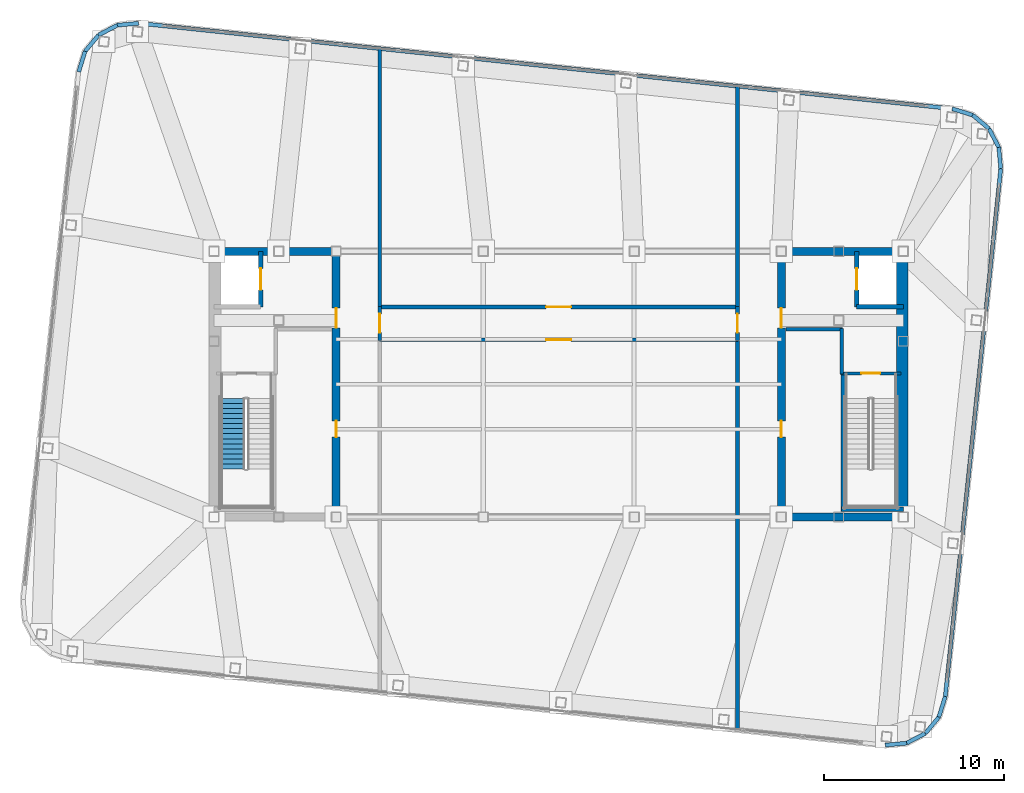
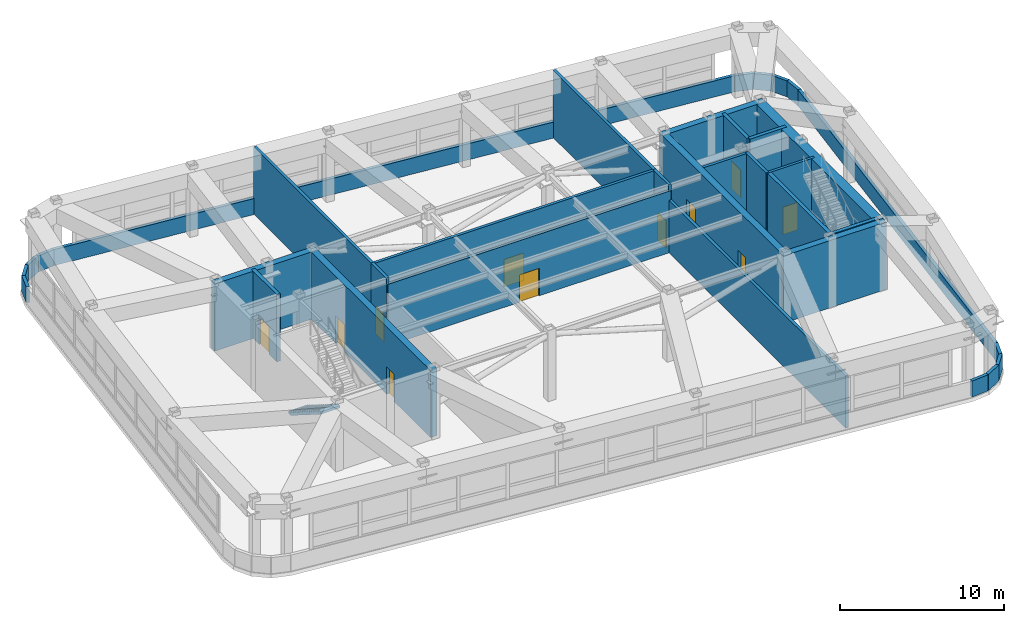
# One storey, part 20 of 23: 35 walls, 11 doors, 1 stair flight, 11 openings, 1 element without a shape of its own.
"""IFC4 building model written with IfcOpenShell, lengths in metres."""

from ifc_helpers import new_model, si_unit, direction, frame, frame_2d, origin, place, context, subcontext, project, spatial, polyline, rectangle, outline, extrude, material, layer, layer_set, type_object, element, fill, aggregate, save


model = new_model("IFC4")

# Units and contexts
model_context = context("Model", 3, precision=1e-05, world=origin(), true_north=direction((0.0, 1.0)))
body_context = subcontext(model_context, "Body", "Model", "MODEL_VIEW")
ifc_project = project(units=[si_unit("LENGTHUNIT", "METRE"), si_unit("AREAUNIT", "SQUARE_METRE"), si_unit("VOLUMEUNIT", "CUBIC_METRE"), si_unit("PLANEANGLEUNIT", "RADIAN"), si_unit("MASSUNIT", "GRAM", prefix="KILO")], contexts=[model_context])

# Site, building, storey
site_placement = place(None, origin())
site = spatial("IfcSite", under=ifc_project, at=site_placement, CompositionType="ELEMENT")
building_placement = place(site_placement, origin())
building = spatial("IfcBuilding", under=site, at=building_placement, Name="Voryun Gate Residences", CompositionType="ELEMENT")
storey_placement = place(building_placement, frame((0.0, 0.0, 316.0)))
storey = spatial("IfcBuildingStorey", under=building, at=storey_placement, Name="L78", CompositionType="ELEMENT", Elevation=316.0)

# Wall
ifc_material_1 = material(Name="Concrete C50/60", Category="concrete")
ifc_layer_1 = layer(ifc_material_1, 0.449951171875, Name="CW_CORE_450")
ifc_layer_set_1 = layer_set([ifc_layer_1], Name="Concrete C50/60")
wall_type_1 = type_object("IfcWallType", Name="CW_CORE_450", PredefinedType="SHEAR", material=ifc_layer_set_1)
wall_1_placement = place(storey_placement, frame((-19.425048828125, 7.39990234375, 0.0), z_axis=(0.0, 0.0, 1.0), x_axis=(1.0, 0.0, 0.0)))
element("IfcWall", 1, at=wall_1_placement, inside=storey, type_object=wall_type_1, Name="L78 Core shear wall CW-L78-WN", PredefinedType="SHEAR", context=body_context, shape_type="SweptSolid", body=[
    extrude(rectangle(XDim=7.25, YDim=0.449951171875, at=frame_2d((3.625, 0.0))), origin(), (0.0, 0.0, 1.0), 5.02490234375),
])

# Wall, openings, doors
wall_2_placement = place(storey_placement, frame((-12.39990234375, -7.39990234375, 0.0), z_axis=(0.0, 0.0, 1.0), x_axis=(0.0, 1.0, 0.0)))
wall_2 = element("IfcWall", 2, at=wall_2_placement, inside=storey, type_object=wall_type_1, Name="L78 Core shear wall CW-L78-WE", PredefinedType="SHEAR", context=body_context, shape_type="SweptSolid", body=[
    extrude(rectangle(XDim=14.7998046875, YDim=0.449951171875, at=frame_2d((7.39990234375, 0.0))), origin(), (0.0, 0.0, 1.0), 5.02490234375),
])
opening_1_placement = place(wall_2_placement, frame((10.530029296875, 0.0, 0.0)))
opening_1 = element("IfcOpeningElement", 3, at=opening_1_placement, cuts=wall_2, Name="Opening D-FD60-2", PredefinedType="OPENING", context=body_context, shape_type="SweptSolid", body=[
    extrude(rectangle(XDim=1.10009765625, YDim=2.050048828125, at=frame_2d((0.550048828125, 1.02490234375))), frame((0.0, 0.235107421875, 0.0), z_axis=(0.0, -1.0, 0.0), x_axis=(1.0, 0.0, 0.0)), (0.0, 0.0, 1.0), 0.469970703125),
])
opening_2_placement = place(wall_2_placement, frame((4.449951171875, 0.0, 0.0)))
opening_2 = element("IfcOpeningElement", 4, at=opening_2_placement, cuts=wall_2, Name="Opening D-FD60-4", PredefinedType="OPENING", context=body_context, shape_type="SweptSolid", body=[
    extrude(rectangle(XDim=0.89990234375, YDim=2.050048828125, at=frame_2d((0.449951171875, 1.02490234375))), frame((0.0, 0.235107421875, 0.0), z_axis=(0.0, -1.0, 0.0), x_axis=(1.0, 0.0, 0.0)), (0.0, 0.0, 1.0), 0.469970703125),
])
ifc_material_2 = material(Name="Painted steel fire door", Category="steel")
door_type_1 = type_object("IfcDoorType", Name="DR_FD60_FFLOB_1100", OperationType="NOTDEFINED", PredefinedType="DOOR", material=ifc_material_2)
door_1_placement = place(opening_1_placement, origin())
door_1 = element("IfcDoor", 5, at=door_1_placement, inside=storey, type_object=door_type_1, Name="Door DR-L78-CLOB-W", OperationType="SINGLE_SWING_LEFT", OverallHeight=2.050048828125, OverallWidth=1.10009765625, PredefinedType="DOOR", context=body_context, shape_type="SweptSolid", body=[
    extrude(rectangle(XDim=1.10009765625, YDim=2.050048828125, at=frame_2d((0.550048828125, 1.02490234375))), frame((0.0, 0.02490234375, 0.0), z_axis=(0.0, -1.0, 0.0), x_axis=(1.0, 0.0, 0.0)), (0.0, 0.0, 1.0), 0.050048828125),
])
fill(opening_1, door_1)
ifc_material_3 = material(Name="Painted steel fire door", Category="steel")
door_type_2 = type_object("IfcDoorType", Name="DR_FD60_RISER_900", OperationType="NOTDEFINED", PredefinedType="DOOR", material=ifc_material_3)
door_2_placement = place(opening_2_placement, origin())
door_2 = element("IfcDoor", 6, at=door_2_placement, inside=storey, type_object=door_type_2, Name="Door DR-L78-CRNW", OperationType="SINGLE_SWING_LEFT", OverallHeight=2.050048828125, OverallWidth=0.89990234375, PredefinedType="DOOR", context=body_context, shape_type="SweptSolid", body=[
    extrude(rectangle(XDim=0.89990234375, YDim=2.050048828125, at=frame_2d((0.449951171875, 1.02490234375))), frame((0.0, 0.02490234375, 0.0), z_axis=(0.0, -1.0, 0.0), x_axis=(1.0, 0.0, 0.0)), (0.0, 0.0, 1.0), 0.050048828125),
])
fill(opening_2, door_2)

# Walls
for number, where, z_axis, x_axis, name in (
    (7, (12.175048828125, -7.39990234375, 0.0), (0.0, 0.0, 1.0), (1.0, 0.0, 0.0), "L78 Core shear wall CW-L78-ES"),
    (8, (12.175048828125, 7.39990234375, 0.0), (0.0, 0.0, 1.0), (1.0, 0.0, 0.0), "L78 Core shear wall CW-L78-EN"),
):
    element("IfcWall", number, at=place(storey_placement, frame(where, z_axis=z_axis, x_axis=x_axis)), inside=storey, type_object=wall_type_1, Name=name, PredefinedType="SHEAR", context=body_context, shape_type="SweptSolid", body=[
        extrude(rectangle(XDim=7.25, YDim=0.449951171875, at=frame_2d((3.625, 0.0))), origin(), (0.0, 0.0, 1.0), 5.02490234375),
    ])

# Wall, openings, doors
wall_3_placement = place(storey_placement, frame((12.39990234375, -7.39990234375, 0.0), z_axis=(0.0, 0.0, 1.0), x_axis=(0.0, 1.0, 0.0)))
wall_3 = element("IfcWall", 9, at=wall_3_placement, inside=storey, type_object=wall_type_1, Name="L78 Core shear wall CW-L78-EW", PredefinedType="SHEAR", context=body_context, shape_type="SweptSolid", body=[
    extrude(rectangle(XDim=14.7998046875, YDim=0.449951171875, at=frame_2d((7.39990234375, 0.0))), origin(), (0.0, 0.0, 1.0), 5.02490234375),
])
opening_3_placement = place(wall_3_placement, frame((10.530029296875, 0.0, 0.0)))
opening_3 = element("IfcOpeningElement", 10, at=opening_3_placement, cuts=wall_3, Name="Opening D-FD60-2", PredefinedType="OPENING", context=body_context, shape_type="SweptSolid", body=[
    extrude(rectangle(XDim=1.10009765625, YDim=2.050048828125, at=frame_2d((0.550048828125, 1.02490234375))), frame((0.0, 0.235107421875, 0.0), z_axis=(0.0, -1.0, 0.0), x_axis=(1.0, 0.0, 0.0)), (0.0, 0.0, 1.0), 0.469970703125),
])
opening_4_placement = place(wall_3_placement, frame((4.449951171875, 0.0, 0.0)))
opening_4 = element("IfcOpeningElement", 11, at=opening_4_placement, cuts=wall_3, Name="Opening D-FD60-4", PredefinedType="OPENING", context=body_context, shape_type="SweptSolid", body=[
    extrude(rectangle(XDim=0.89990234375, YDim=2.050048828125, at=frame_2d((0.449951171875, 1.02490234375))), frame((0.0, 0.235107421875, 0.0), z_axis=(0.0, -1.0, 0.0), x_axis=(1.0, 0.0, 0.0)), (0.0, 0.0, 1.0), 0.469970703125),
])
door_3_placement = place(opening_3_placement, origin())
door_3 = element("IfcDoor", 12, at=door_3_placement, inside=storey, type_object=door_type_1, Name="Door DR-L78-CLOB-E", OperationType="SINGLE_SWING_RIGHT", OverallHeight=2.050048828125, OverallWidth=1.10009765625, PredefinedType="DOOR", context=body_context, shape_type="SweptSolid", body=[
    extrude(rectangle(XDim=1.10009765625, YDim=2.050048828125, at=frame_2d((0.550048828125, 1.02490234375))), frame((0.0, 0.02490234375, 0.0), z_axis=(0.0, -1.0, 0.0), x_axis=(1.0, 0.0, 0.0)), (0.0, 0.0, 1.0), 0.050048828125),
])
fill(opening_3, door_3)
door_4_placement = place(opening_4_placement, origin())
door_4 = element("IfcDoor", 13, at=door_4_placement, inside=storey, type_object=door_type_2, Name="Door DR-L78-CRNE", OperationType="SINGLE_SWING_RIGHT", OverallHeight=2.050048828125, OverallWidth=0.89990234375, PredefinedType="DOOR", context=body_context, shape_type="SweptSolid", body=[
    extrude(rectangle(XDim=0.89990234375, YDim=2.050048828125, at=frame_2d((0.449951171875, 1.02490234375))), frame((0.0, 0.02490234375, 0.0), z_axis=(0.0, -1.0, 0.0), x_axis=(1.0, 0.0, 0.0)), (0.0, 0.0, 1.0), 0.050048828125),
])
fill(opening_4, door_4)

# Wall
ifc_material_4 = material(Name="Concrete C60/75", Category="concrete")
ifc_layer_2 = layer(ifc_material_4, 0.64990234375, Name="CW_CORE_650")
ifc_layer_set_2 = layer_set([ifc_layer_2], Name="Concrete C60/75")
wall_type_2 = type_object("IfcWallType", Name="CW_CORE_650", PredefinedType="SHEAR", material=ifc_layer_set_2)
wall_4_placement = place(storey_placement, frame((19.14501953125, -7.39990234375, 0.0), z_axis=(0.0, 0.0, 1.0), x_axis=(0.0, 1.0, 0.0)))
element("IfcWall", 14, at=wall_4_placement, inside=storey, type_object=wall_type_2, Name="L78 Core shear wall CW-L78-EE", PredefinedType="SHEAR", context=body_context, shape_type="SweptSolid", body=[
    extrude(rectangle(XDim=14.7998046875, YDim=0.64990234375, at=frame_2d((7.39990234375, 0.0))), origin(), (0.0, 0.0, 1.0), 5.02490234375),
])

# Wall, opening, door
ifc_material_5 = material(Name="Gypsum acoustic fireboard")
ifc_layer_3 = layer(ifc_material_5, 0.179931640625, Name="W_CORR_RATED_180")
ifc_layer_set_3 = layer_set([ifc_layer_3], Name="Gypsum acoustic fireboard")
wall_type_3 = type_object("IfcWallType", Name="W_CORR_RATED_180", PredefinedType="PARTITIONING", material=ifc_layer_set_3)
wall_5_placement = place(storey_placement, frame((15.699951171875, 0.60009765625, 0.0), z_axis=(0.0, 0.0, 1.0), x_axis=(1.0, 0.0, 0.0)))
wall_5 = element("IfcWall", 15, at=wall_5_placement, inside=storey, type_object=wall_type_3, Name="Partition wall WP-L78-STV-E", PredefinedType="PARTITIONING", context=body_context, shape_type="SweptSolid", body=[
    extrude(rectangle(XDim=3.360107421875, YDim=0.179931640625, at=frame_2d((1.68017578125, 0.0))), origin(), (0.0, 0.0, 1.0), 5.02490234375),
])
opening_5_placement = place(wall_5_placement, frame((1.155029296875, 0.0, 0.0)))
opening_5 = element("IfcOpeningElement", 16, at=opening_5_placement, cuts=wall_5, Name="Opening D-FD60-1", PredefinedType="OPENING", context=body_context, shape_type="SweptSolid", body=[
    extrude(rectangle(XDim=1.050048828125, YDim=2.050048828125, at=frame_2d((0.52490234375, 1.02490234375))), frame((0.0, 0.099853515625, 0.0), z_axis=(0.0, -1.0, 0.0), x_axis=(1.0, 0.0, 0.0)), (0.0, 0.0, 1.0), 0.199951171875),
])
ifc_material_6 = material(Name="Painted steel fire door", Category="steel")
door_type_3 = type_object("IfcDoorType", Name="DR_FD60_STAIR_1050", OperationType="NOTDEFINED", PredefinedType="DOOR", material=ifc_material_6)
door_5_placement = place(opening_5_placement, origin())
door_5 = element("IfcDoor", 17, at=door_5_placement, inside=storey, type_object=door_type_3, Name="Door DR-L78-ST-E", OperationType="SINGLE_SWING_RIGHT", OverallHeight=2.050048828125, OverallWidth=1.050048828125, PredefinedType="DOOR", context=body_context, shape_type="SweptSolid", body=[
    extrude(rectangle(XDim=1.050048828125, YDim=2.050048828125, at=frame_2d((0.52490234375, 1.02490234375))), frame((0.0, 0.02490234375, 0.0), z_axis=(0.0, -1.0, 0.0), x_axis=(1.0, 0.0, 0.0)), (0.0, 0.0, 1.0), 0.050048828125),
])
fill(opening_5, door_5)

# Walls
ifc_material_7 = material(Name="Concrete C40/50", Category="concrete")
ifc_layer_4 = layer(ifc_material_7, 0.199951171875, Name="W_FF_LOBBY_200")
ifc_layer_set_4 = layer_set([ifc_layer_4], Name="Concrete C40/50")
wall_type_4 = type_object("IfcWallType", Name="W_FF_LOBBY_200", PredefinedType="PARTITIONING", material=ifc_layer_set_4)
wall_6_placement = place(storey_placement, frame((15.760009765625, 0.580078125, 0.0), z_axis=(0.0, 0.0, 1.0), x_axis=(0.0, 1.0, 0.0)))
element("IfcWall", 18, at=wall_6_placement, inside=storey, type_object=wall_type_4, Name="Partition wall WP-L78-FFP0-E", PredefinedType="PARTITIONING", context=body_context, shape_type="SweptSolid", body=[
    extrude(rectangle(XDim=2.52001953125, YDim=0.199951171875, at=frame_2d((1.260009765625, 0.0))), origin(), (0.0, 0.0, 1.0), 5.02490234375),
])
wall_7_placement = place(storey_placement, frame((12.659912109375, 3.06005859375, 0.0), z_axis=(0.0, 0.0, 1.0), x_axis=(1.0, 0.0, 0.0)))
element("IfcWall", 19, at=wall_7_placement, inside=storey, type_object=wall_type_4, Name="Partition wall WP-L78-FFPS-E", PredefinedType="PARTITIONING", context=body_context, shape_type="SweptSolid", body=[
    extrude(rectangle(XDim=3.16015625, YDim=0.199951171875, at=frame_2d((1.580078125, 0.0))), origin(), (0.0, 0.0, 1.0), 5.02490234375),
])

# Wall, opening, door
wall_8_placement = place(storey_placement, frame((-9.97998046875, 2.47998046875, 0.0), z_axis=(0.0, 0.0, 1.0), x_axis=(1.0, 0.0, 0.0)))
wall_8 = element("IfcWall", 20, at=wall_8_placement, inside=storey, type_object=wall_type_4, Name="Partition wall WP-L78-CS", PredefinedType="PARTITIONING", context=body_context, shape_type="SweptSolid", body=[
    extrude(rectangle(XDim=19.9599609375, YDim=0.199951171875, at=frame_2d((9.97998046875, 0.0))), origin(), (0.0, 0.0, 1.0), 4.594970703125),
])
opening_6_placement = place(wall_8_placement, frame((9.280029296875, 0.0, 0.0)))
opening_6 = element("IfcOpeningElement", 21, at=opening_6_placement, cuts=wall_8, Name="Opening D-FD60-3", PredefinedType="OPENING", context=body_context, shape_type="SweptSolid", body=[
    extrude(rectangle(XDim=1.39990234375, YDim=2.050048828125, at=frame_2d((0.699951171875, 1.02490234375))), frame((0.0, 0.110107421875, 0.0), z_axis=(0.0, -1.0, 0.0), x_axis=(1.0, 0.0, 0.0)), (0.0, 0.0, 1.0), 0.219970703125),
])
ifc_material_8 = material(Name="Painted steel fire door", Category="steel")
door_type_4 = type_object("IfcDoorType", Name="DR_FD60_PLANT_1400", OperationType="NOTDEFINED", PredefinedType="DOOR", material=ifc_material_8)
door_6_placement = place(opening_6_placement, origin())
door_6 = element("IfcDoor", 22, at=door_6_placement, inside=storey, type_object=door_type_4, Name="Door DR-L78-CS", OperationType="DOUBLE_DOOR_SINGLE_SWING", OverallHeight=2.050048828125, OverallWidth=1.39990234375, PredefinedType="DOOR", context=body_context, shape_type="SweptSolid", body=[
    extrude(rectangle(XDim=1.39990234375, YDim=2.050048828125, at=frame_2d((0.699951171875, 1.02490234375))), frame((0.0, 0.02490234375, 0.0), z_axis=(0.0, -1.0, 0.0), x_axis=(1.0, 0.0, 0.0)), (0.0, 0.0, 1.0), 0.050048828125),
])
fill(opening_6, door_6)

wall_9_placement = place(storey_placement, frame((-9.97998046875, 4.300048828125, 0.0), z_axis=(0.0, 0.0, 1.0), x_axis=(1.0, 0.0, 0.0)))
wall_9 = element("IfcWall", 23, at=wall_9_placement, inside=storey, type_object=wall_type_4, Name="Partition wall WP-L78-CN", PredefinedType="PARTITIONING", context=body_context, shape_type="SweptSolid", body=[
    extrude(rectangle(XDim=19.9599609375, YDim=0.199951171875, at=frame_2d((9.97998046875, 0.0))), origin(), (0.0, 0.0, 1.0), 5.02490234375),
])
opening_7_placement = place(wall_9_placement, frame((9.280029296875, 0.0, 0.0)))
opening_7 = element("IfcOpeningElement", 24, at=opening_7_placement, cuts=wall_9, Name="Opening D-FD60-3", PredefinedType="OPENING", context=body_context, shape_type="SweptSolid", body=[
    extrude(rectangle(XDim=1.39990234375, YDim=2.050048828125, at=frame_2d((0.699951171875, 1.02490234375))), frame((0.0, 0.110107421875, 0.0), z_axis=(0.0, -1.0, 0.0), x_axis=(1.0, 0.0, 0.0)), (0.0, 0.0, 1.0), 0.219970703125),
])
door_7_placement = place(opening_7_placement, origin())
door_7 = element("IfcDoor", 25, at=door_7_placement, inside=storey, type_object=door_type_4, Name="Door DR-L78-CN", OperationType="DOUBLE_DOOR_SINGLE_SWING", OverallHeight=2.050048828125, OverallWidth=1.39990234375, PredefinedType="DOOR", context=body_context, shape_type="SweptSolid", body=[
    extrude(rectangle(XDim=1.39990234375, YDim=2.050048828125, at=frame_2d((0.699951171875, 1.02490234375))), frame((0.0, 0.02490234375, 0.0), z_axis=(0.0, -1.0, 0.0), x_axis=(1.0, 0.0, 0.0)), (0.0, 0.0, 1.0), 0.050048828125),
])
fill(opening_7, door_7)

wall_10_placement = place(storey_placement, frame((-9.9599609375, 2.43994140625, 0.0), z_axis=(0.0, 0.0, 1.0), x_axis=(0.0, 1.0, 0.0)))
wall_10 = element("IfcWall", 26, at=wall_10_placement, inside=storey, type_object=wall_type_4, Name="Partition wall WP-L78-CWMID", PredefinedType="PARTITIONING", context=body_context, shape_type="SweptSolid", body=[
    extrude(rectangle(XDim=1.900146484375, YDim=0.199951171875, at=frame_2d((0.9501953125, 0.0))), origin(), (0.0, 0.0, 1.0), 5.02490234375),
])
opening_8_placement = place(wall_10_placement, frame((0.425048828125, 0.0, 0.0)))
opening_8 = element("IfcOpeningElement", 27, at=opening_8_placement, cuts=wall_10, Name="Opening D-FD60-1", PredefinedType="OPENING", context=body_context, shape_type="SweptSolid", body=[
    extrude(rectangle(XDim=1.050048828125, YDim=2.050048828125, at=frame_2d((0.52490234375, 1.02490234375))), frame((0.0, 0.110107421875, 0.0), z_axis=(0.0, -1.0, 0.0), x_axis=(1.0, 0.0, 0.0)), (0.0, 0.0, 1.0), 0.219970703125),
])
door_8_placement = place(opening_8_placement, origin())
door_8 = element("IfcDoor", 28, at=door_8_placement, inside=storey, type_object=door_type_3, Name="Door DR-L78-CW1", OperationType="SINGLE_SWING_LEFT", OverallHeight=2.050048828125, OverallWidth=1.050048828125, PredefinedType="DOOR", context=body_context, shape_type="SweptSolid", body=[
    extrude(rectangle(XDim=1.050048828125, YDim=2.050048828125, at=frame_2d((0.52490234375, 1.02490234375))), frame((0.0, 0.02490234375, 0.0), z_axis=(0.0, -1.0, 0.0), x_axis=(1.0, 0.0, 0.0)), (0.0, 0.0, 1.0), 0.050048828125),
])
fill(opening_8, door_8)

wall_11_placement = place(storey_placement, frame((9.9599609375, 2.43994140625, 0.0), z_axis=(0.0, 0.0, 1.0), x_axis=(0.0, 1.0, 0.0)))
wall_11 = element("IfcWall", 29, at=wall_11_placement, inside=storey, type_object=wall_type_4, Name="Partition wall WP-L78-CEMID", PredefinedType="PARTITIONING", context=body_context, shape_type="SweptSolid", body=[
    extrude(rectangle(XDim=1.900146484375, YDim=0.199951171875, at=frame_2d((0.9501953125, 0.0))), origin(), (0.0, 0.0, 1.0), 5.02490234375),
])
opening_9_placement = place(wall_11_placement, frame((0.425048828125, 0.0, 0.0)))
opening_9 = element("IfcOpeningElement", 30, at=opening_9_placement, cuts=wall_11, Name="Opening D-FD60-1", PredefinedType="OPENING", context=body_context, shape_type="SweptSolid", body=[
    extrude(rectangle(XDim=1.050048828125, YDim=2.050048828125, at=frame_2d((0.52490234375, 1.02490234375))), frame((0.0, 0.110107421875, 0.0), z_axis=(0.0, -1.0, 0.0), x_axis=(1.0, 0.0, 0.0)), (0.0, 0.0, 1.0), 0.219970703125),
])
door_9_placement = place(opening_9_placement, origin())
door_9 = element("IfcDoor", 31, at=door_9_placement, inside=storey, type_object=door_type_3, Name="Door DR-L78-CE1", OperationType="SINGLE_SWING_RIGHT", OverallHeight=2.050048828125, OverallWidth=1.050048828125, PredefinedType="DOOR", context=body_context, shape_type="SweptSolid", body=[
    extrude(rectangle(XDim=1.050048828125, YDim=2.050048828125, at=frame_2d((0.52490234375, 1.02490234375))), frame((0.0, 0.02490234375, 0.0), z_axis=(0.0, -1.0, 0.0), x_axis=(1.0, 0.0, 0.0)), (0.0, 0.0, 1.0), 0.050048828125),
])
fill(opening_9, door_9)

# Walls
wall_12_placement = place(storey_placement, frame((-9.9599609375, 4.280029296875, 0.0), z_axis=(0.0, 0.0, 1.0), x_axis=(0.0, 1.0, 0.0)))
element("IfcWall", 32, at=wall_12_placement, inside=storey, type_object=wall_type_4, Name="Partition wall WP-L78-CW2", PredefinedType="PARTITIONING", context=body_context, shape_type="SweptSolid", body=[
    extrude(rectangle(XDim=14.3916015625, YDim=0.199951171875, at=frame_2d((7.19580078125, 0.0))), origin(), (0.0, 0.0, 1.0), 5.02490234375),
])
wall_13_placement = place(storey_placement, frame((9.9599609375, -19.21826171875, 0.0), z_axis=(0.0, 0.0, 1.0), x_axis=(0.0, 1.0, 0.0)))
element("IfcWall", 33, at=wall_13_placement, inside=storey, type_object=wall_type_4, Name="Partition wall WP-L78-CE1", PredefinedType="PARTITIONING", context=body_context, shape_type="SweptSolid", body=[
    extrude(rectangle(XDim=21.71826171875, YDim=0.199951171875, at=frame_2d((10.859130859375, 0.0))), origin(), (0.0, 0.0, 1.0), 3.9150390625),
])
wall_14_placement = place(storey_placement, frame((9.9599609375, 4.280029296875, 0.0), z_axis=(0.0, 0.0, 1.0), x_axis=(0.0, 1.0, 0.0)))
element("IfcWall", 34, at=wall_14_placement, inside=storey, type_object=wall_type_4, Name="Partition wall WP-L78-CE2", PredefinedType="PARTITIONING", context=body_context, shape_type="SweptSolid", body=[
    extrude(rectangle(XDim=12.2978515625, YDim=0.199951171875, at=frame_2d((6.14892578125, 0.0))), origin(), (0.0, 0.0, 1.0), 5.02490234375),
])
ifc_material_9 = material(Name="Precast concrete C40/50", Category="concrete")
ifc_layer_5 = layer(ifc_material_9, 0.219970703125, Name="W_PARAPET_CURB_220")
ifc_layer_set_5 = layer_set([ifc_layer_5], Name="Precast concrete C40/50")
wall_type_5 = type_object("IfcWallType", Name="W_PARAPET_CURB_220", PredefinedType="PARAPET", material=ifc_layer_set_5)
wall_15_placement = place(storey_placement, frame((-26.7333984375, 17.400146484375, 0.0), z_axis=(0.0, 0.0, 1.0), x_axis=(0.296611239858, 0.95499831015, 0.0)))
element("IfcWall", 35, at=wall_15_placement, inside=storey, type_object=wall_type_5, Name="Exterior wall WCRN-L78-07", PredefinedType="PARAPET", context=body_context, shape_type="SweptSolid", body=[
    extrude(rectangle(XDim=1.195068359375, YDim=0.219970703125, at=frame_2d((0.59765625, 0.0))), origin(), (0.0, 0.0, 1.0), 1.199951171875),
])
wall_16_placement = place(storey_placement, frame((-26.37890625, 18.54150390625, 0.0), z_axis=(0.0, 0.0, 1.0), x_axis=(0.639408628756, 0.768867092203, 0.0)))
element("IfcWall", 36, at=wall_16_placement, inside=storey, type_object=wall_type_5, Name="Exterior wall WCRN-L78-08", PredefinedType="PARAPET", context=body_context, shape_type="SweptSolid", body=[
    extrude(rectangle(XDim=1.1767578125, YDim=0.219970703125, at=frame_2d((0.58837890625, 0.0))), origin(), (0.0, 0.0, 1.0), 1.199951171875),
])
wall_17_placement = place(storey_placement, frame((-25.62646484375, 19.4462890625, 0.0), z_axis=(0.0, 0.0, 1.0), x_axis=(0.884985697578, 0.465618207421, 0.0)))
element("IfcWall", 37, at=wall_17_placement, inside=storey, type_object=wall_type_5, Name="Exterior wall WCRN-L78-09", PredefinedType="PARAPET", context=body_context, shape_type="SweptSolid", body=[
    extrude(rectangle(XDim=1.17724609375, YDim=0.219970703125, at=frame_2d((0.588623046875, 0.0))), origin(), (0.0, 0.0, 1.0), 1.199951171875),
])
wall_18_placement = place(storey_placement, frame((-24.584716796875, 19.994384765625, 0.0), z_axis=(0.0, 0.0, 1.0), x_axis=(0.995802277791, 0.091530451467, 0.0)))
element("IfcWall", 38, at=wall_18_placement, inside=storey, type_object=wall_type_5, Name="Exterior wall WCRN-L78-10", PredefinedType="PARAPET", context=body_context, shape_type="SweptSolid", body=[
    extrude(rectangle(XDim=1.195068359375, YDim=0.219970703125, at=frame_2d((0.59765625, 0.0))), origin(), (0.0, 0.0, 1.0), 1.199951171875),
])
wall_19_placement = place(storey_placement, frame((-23.394775390625, 20.103759765625, 0.0), z_axis=(0.0, 0.0, 1.0), x_axis=(0.994522116558, -0.104526358762, 0.0)))
element("IfcWall", 39, at=wall_19_placement, inside=storey, type_object=wall_type_5, Name="Exterior wall WCRN-L78-11", PredefinedType="PARAPET", context=body_context, shape_type="SweptSolid", body=[
    extrude(rectangle(XDim=45.564453125, YDim=0.219970703125, at=frame_2d((22.7822265625, 0.0))), origin(), (0.0, 0.0, 1.0), 1.199951171875),
])
wall_20_placement = place(storey_placement, frame((21.920166015625, 15.341064453125, 0.0), z_axis=(0.0, 0.0, 1.0), x_axis=(0.95499831015, -0.296611239858, 0.0)))
element("IfcWall", 40, at=wall_20_placement, inside=storey, type_object=wall_type_5, Name="Exterior wall WCRN-L78-12", PredefinedType="PARAPET", context=body_context, shape_type="SweptSolid", body=[
    extrude(rectangle(XDim=1.195068359375, YDim=0.219970703125, at=frame_2d((0.59765625, 0.0))), origin(), (0.0, 0.0, 1.0), 1.199951171875),
])
for number, where, z_axis, x_axis, name in (
    (41, (23.0615234375, 14.986572265625, 0.0), (0.0, 0.0, 1.0), (0.768765101718, -0.639531248947, 0.0), "Exterior wall WCRN-L78-13"),
    (42, (23.96630859375, 14.23388671875, 0.0), (0.0, 0.0, 1.0), (0.465703684269, -0.884940720308, 0.0), "Exterior wall WCRN-L78-14"),
):
    element("IfcWall", number, at=place(storey_placement, frame(where, z_axis=z_axis, x_axis=x_axis)), inside=storey, type_object=wall_type_5, Name=name, PredefinedType="PARAPET", context=body_context, shape_type="SweptSolid", body=[
        extrude(rectangle(XDim=1.177001953125, YDim=0.219970703125, at=frame_2d((0.58837890625, 0.0))), origin(), (0.0, 0.0, 1.0), 1.199951171875),
    ])
wall_21_placement = place(storey_placement, frame((24.514404296875, 13.1923828125, 0.0), z_axis=(0.0, 0.0, 1.0), x_axis=(0.091530451467, -0.995802277791, 0.0)))
element("IfcWall", 43, at=wall_21_placement, inside=storey, type_object=wall_type_5, Name="Exterior wall WCRN-L78-15", PredefinedType="PARAPET", context=body_context, shape_type="SweptSolid", body=[
    extrude(rectangle(XDim=1.195068359375, YDim=0.219970703125, at=frame_2d((0.59765625, 0.0))), origin(), (0.0, 0.0, 1.0), 1.199951171875),
])
wall_22_placement = place(storey_placement, frame((24.623779296875, 12.00244140625, 0.0), z_axis=(0.0, 0.0, 1.0), x_axis=(-0.104528313262, -0.994521911134, 0.0)))
element("IfcWall", 44, at=wall_22_placement, inside=storey, type_object=wall_type_5, Name="Exterior wall WCRN-L78-16", PredefinedType="PARAPET", context=body_context, shape_type="SweptSolid", body=[
    extrude(rectangle(XDim=29.564453125, YDim=0.219970703125, at=frame_2d((14.7822265625, 0.0))), origin(), (0.0, 0.0, 1.0), 1.199951171875),
])
wall_23_placement = place(storey_placement, frame((21.533447265625, -17.400146484375, 0.0), z_axis=(0.0, 0.0, 1.0), x_axis=(-0.296611239858, -0.95499831015, 0.0)))
element("IfcWall", 45, at=wall_23_placement, inside=storey, type_object=wall_type_5, Name="Exterior wall WCRN-L78-17", PredefinedType="PARAPET", context=body_context, shape_type="SweptSolid", body=[
    extrude(rectangle(XDim=1.195068359375, YDim=0.219970703125, at=frame_2d((0.59765625, 0.0))), origin(), (0.0, 0.0, 1.0), 1.199951171875),
])
wall_24_placement = place(storey_placement, frame((21.178955078125, -18.54150390625, 0.0), z_axis=(0.0, 0.0, 1.0), x_axis=(-0.639408628756, -0.768867092203, 0.0)))
element("IfcWall", 46, at=wall_24_placement, inside=storey, type_object=wall_type_5, Name="Exterior wall WCRN-L78-18", PredefinedType="PARAPET", context=body_context, shape_type="SweptSolid", body=[
    extrude(rectangle(XDim=1.1767578125, YDim=0.219970703125, at=frame_2d((0.58837890625, 0.0))), origin(), (0.0, 0.0, 1.0), 1.199951171875),
])
wall_25_placement = place(storey_placement, frame((20.426513671875, -19.4462890625, 0.0), z_axis=(0.0, 0.0, 1.0), x_axis=(-0.884985697578, -0.465618207421, 0.0)))
element("IfcWall", 47, at=wall_25_placement, inside=storey, type_object=wall_type_5, Name="Exterior wall WCRN-L78-19", PredefinedType="PARAPET", context=body_context, shape_type="SweptSolid", body=[
    extrude(rectangle(XDim=1.17724609375, YDim=0.219970703125, at=frame_2d((0.588623046875, 0.0))), origin(), (0.0, 0.0, 1.0), 1.199951171875),
])
wall_26_placement = place(storey_placement, frame((19.384765625, -19.994384765625, 0.0), z_axis=(0.0, 0.0, 1.0), x_axis=(-0.995802277791, -0.091530451467, 0.0)))
element("IfcWall", 48, at=wall_26_placement, inside=storey, type_object=wall_type_5, Name="Exterior wall WCRN-L78-20", PredefinedType="PARAPET", context=body_context, shape_type="SweptSolid", body=[
    extrude(rectangle(XDim=1.195068359375, YDim=0.219970703125, at=frame_2d((0.59765625, 0.0))), origin(), (0.0, 0.0, 1.0), 1.199951171875),
])
ifc_material_10 = material(Name="Concrete C50/60", Category="concrete")
ifc_layer_6 = layer(ifc_material_10, 0.25, Name="W_SHAFT_RC250")
ifc_layer_set_6 = layer_set([ifc_layer_6], Name="Concrete C50/60")
wall_type_6 = type_object("IfcWallType", Name="W_SHAFT_RC250", PredefinedType="SOLIDWALL", material=ifc_layer_set_6)
wall_27_placement = place(storey_placement, frame((15.860107421875, -7.0849609375, 0.0), z_axis=(0.0, 0.0, 1.0), x_axis=(0.0, 1.0, 0.0)))
element("IfcWall", 49, at=wall_27_placement, inside=storey, type_object=wall_type_6, Name="L78 Stair shaft structural wall E-STL", PredefinedType="SOLIDWALL", context=body_context, shape_type="SweptSolid", body=[
    extrude(rectangle(XDim=7.68505859375, YDim=0.25, at=frame_2d((3.842529296875, 0.0))), origin(), (0.0, 0.0, 1.0), 5.02490234375),
])
wall_28_placement = place(storey_placement, frame((15.739990234375, -6.965087890625, 0.0), z_axis=(0.0, 0.0, 1.0), x_axis=(1.0, 0.0, 0.0)))
element("IfcWall", 50, at=wall_28_placement, inside=storey, type_object=wall_type_6, Name="L78 Stair shaft structural wall E-STS", PredefinedType="SOLIDWALL", context=body_context, shape_type="SweptSolid", body=[
    extrude(rectangle(XDim=3.4599609375, YDim=0.25, at=frame_2d((1.72998046875, 0.0))), origin(), (0.0, 0.0, 1.0), 5.02490234375),
])

# Wall, opening, door
wall_29_placement = place(storey_placement, frame((-16.60009765625, 4.300048828125, 0.0), z_axis=(0.0, 0.0, 1.0), x_axis=(0.0, 1.0, 0.0)))
wall_29 = element("IfcWall", 51, at=wall_29_placement, inside=storey, type_object=wall_type_6, Name="Lift shaft wall WSH-L78-EL-FF-W1-E", PredefinedType="SOLIDWALL", context=body_context, shape_type="SweptSolid", body=[
    extrude(rectangle(XDim=3.099853515625, YDim=0.25, at=frame_2d((1.5498046875, 0.0))), origin(), (0.0, 0.0, 1.0), 5.02490234375),
])
opening_10_placement = place(wall_29_placement, frame((0.949951171875, 0.0, 0.0)))
opening_10 = element("IfcOpeningElement", 52, at=opening_10_placement, cuts=wall_29, Name="Opening LD1", PredefinedType="OPENING", context=body_context, shape_type="SweptSolid", body=[
    extrude(rectangle(XDim=1.199951171875, YDim=2.050048828125, at=frame_2d((0.60009765625, 1.02490234375))), frame((0.0, 0.135009765625, 0.0), z_axis=(0.0, -1.0, 0.0), x_axis=(1.0, 0.0, 0.0)), (0.0, 0.0, 1.0), 0.27001953125),
])
ifc_material_11 = material(Name="Anodised aluminium", Category="aluminium")
door_type_5 = type_object("IfcDoorType", Name="DR_LD_FF_1200", OperationType="NOTDEFINED", PredefinedType="DOOR", material=ifc_material_11)
door_10_placement = place(opening_10_placement, origin())
door_10 = element("IfcDoor", 53, at=door_10_placement, inside=storey, type_object=door_type_5, Name="Lift EL-FF-W1 sliding landing door L78", OperationType="SLIDING_TO_LEFT", OverallHeight=2.050048828125, OverallWidth=1.199951171875, PredefinedType="DOOR", context=body_context, shape_type="SweptSolid", body=[
    extrude(rectangle(XDim=1.199951171875, YDim=2.050048828125, at=frame_2d((0.60009765625, 1.02490234375))), frame((0.0, 0.02490234375, 0.0), z_axis=(0.0, -1.0, 0.0), x_axis=(1.0, 0.0, 0.0)), (0.0, 0.0, 1.0), 0.050048828125),
])
fill(opening_10, door_10)

# Wall
wall_30_placement = place(storey_placement, frame((16.60009765625, 4.300048828125, 0.0), z_axis=(0.0, 0.0, 1.0), x_axis=(1.0, 0.0, 0.0)))
element("IfcWall", 54, at=wall_30_placement, inside=storey, type_object=wall_type_6, Name="Lift shaft wall WSH-L78-EL-FF-E1-S", PredefinedType="SOLIDWALL", context=body_context, shape_type="SweptSolid", body=[
    extrude(rectangle(XDim=2.599853515625, YDim=0.25, at=frame_2d((1.2998046875, 0.0))), origin(), (0.0, 0.0, 1.0), 5.02490234375),
])

# Wall, opening, door
wall_31_placement = place(storey_placement, frame((16.60009765625, 7.39990234375, 0.0), z_axis=(0.0, 0.0, 1.0), x_axis=(0.0, -1.0, 0.0)))
wall_31 = element("IfcWall", 55, at=wall_31_placement, inside=storey, type_object=wall_type_6, Name="Lift shaft wall WSH-L78-EL-FF-E1-W", PredefinedType="SOLIDWALL", context=body_context, shape_type="SweptSolid", body=[
    extrude(rectangle(XDim=3.099853515625, YDim=0.25, at=frame_2d((1.5498046875, 0.0))), origin(), (0.0, 0.0, 1.0), 5.02490234375),
])
opening_11_placement = place(wall_31_placement, frame((0.949951171875, 0.0, 0.0)))
opening_11 = element("IfcOpeningElement", 56, at=opening_11_placement, cuts=wall_31, Name="Opening LD1", PredefinedType="OPENING", context=body_context, shape_type="SweptSolid", body=[
    extrude(rectangle(XDim=1.199951171875, YDim=2.050048828125, at=frame_2d((0.60009765625, 1.02490234375))), frame((0.0, 0.135009765625, 0.0), z_axis=(0.0, -1.0, 0.0), x_axis=(1.0, 0.0, 0.0)), (0.0, 0.0, 1.0), 0.27001953125),
])
door_11_placement = place(opening_11_placement, origin())
door_11 = element("IfcDoor", 57, at=door_11_placement, inside=storey, type_object=door_type_5, Name="Lift EL-FF-E1 sliding landing door L78", OperationType="SLIDING_TO_LEFT", OverallHeight=2.050048828125, OverallWidth=1.199951171875, PredefinedType="DOOR", context=body_context, shape_type="SweptSolid", body=[
    extrude(rectangle(XDim=1.199951171875, YDim=2.050048828125, at=frame_2d((0.60009765625, 1.02490234375))), frame((0.0, 0.02490234375, 0.0), z_axis=(0.0, -1.0, 0.0), x_axis=(1.0, 0.0, 0.0)), (0.0, 0.0, 1.0), 0.050048828125),
])
fill(opening_11, door_11)

# Stair, stair flight
ifc_material_12 = material(Name="Concrete C40/50", Category="concrete")
stair_type = type_object("IfcStairType", Name="STR_CORE_DOGLEG_1350", PredefinedType="HALF_TURN_STAIR", material=ifc_material_12)
stair_placement = place(storey_placement, origin())
stair = element("IfcStair", 58, at=stair_placement, inside=storey, type_object=stair_type, Name="L78 Special Escape Stair ST-W1", PredefinedType="HALF_TURN_STAIR")
ifc_material_13 = material(Name="Concrete C40/50", Category="concrete")
stair_flight_type = type_object("IfcStairFlightType", Name="FLT_CORE_1350", PredefinedType="STRAIGHT", material=ifc_material_13)
stair_flight_placement = place(storey_placement, frame((-18.14990234375, -0.800048828125, 0.0), z_axis=(0.0, 0.0, 1.0), x_axis=(0.0, -1.0, 0.0)))
stair_flight = element("IfcStairFlight", 59, at=stair_flight_placement, type_object=stair_flight_type, Name="ST-W1 flight 1", NumberOfRisers=15, NumberOfTreads=14, PredefinedType="STRAIGHT", RiserHeight=0.176666667, TreadLength=0.28, context=body_context, shape_type="SweptSolid", body=[
    extrude(outline(polyline([(0.0, 0.0), (0.0, 0.1767578125), (0.280029296875, 0.1767578125), (0.280029296875, 0.353271484375), (0.56005859375, 0.353271484375), (0.56005859375, 0.530029296875), (0.840087890625, 0.530029296875), (0.840087890625, 0.706787109375), (1.1201171875, 0.706787109375), (1.1201171875, 0.88330078125), (1.39990234375, 0.88330078125), (1.39990234375, 1.06005859375), (1.679931640625, 1.06005859375), (1.679931640625, 1.236572265625), (1.9599609375, 1.236572265625), (1.9599609375, 1.413330078125), (2.239990234375, 1.413330078125), (2.239990234375, 1.590087890625), (2.52001953125, 1.590087890625), (2.52001953125, 1.7666015625), (2.800048828125, 1.7666015625), (2.800048828125, 1.943359375), (3.080078125, 1.943359375), (3.080078125, 2.1201171875), (3.360107421875, 2.1201171875), (3.360107421875, 2.296630859375), (3.639892578125, 2.296630859375), (3.639892578125, 2.473388671875), (3.919921875, 2.473388671875), (3.919921875, 2.64990234375), (3.919921875, 2.296142578125), (0.281005859375, 0.0), (0.0, 0.0)])), frame((0.0, 0.675048828125, 0.0), z_axis=(0.0, -1.0, 0.0), x_axis=(1.0, 0.0, 0.0)), (0.0, 0.0, 1.0), 1.35009765625),
])
aggregate(stair, [stair_flight])

save(model, "model.ifc")
